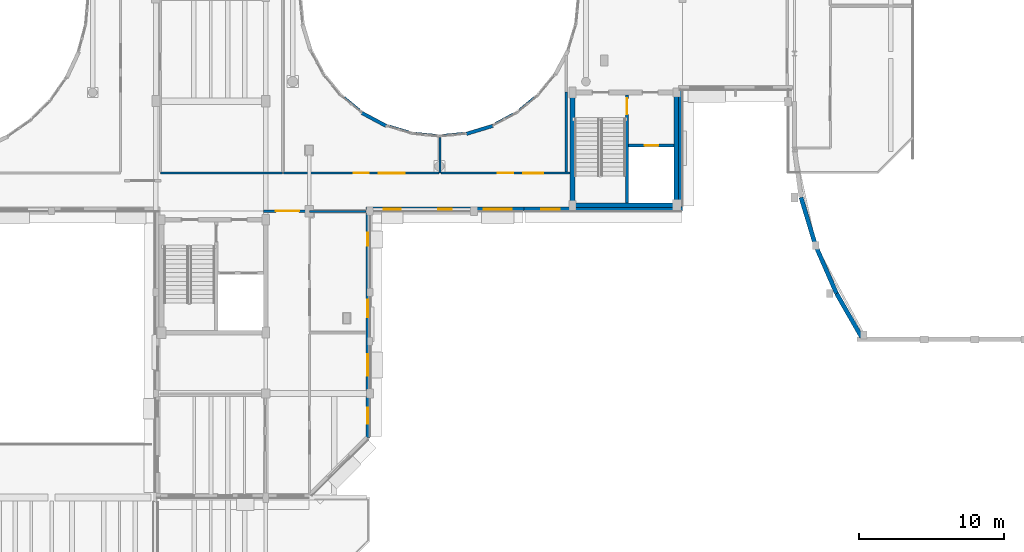
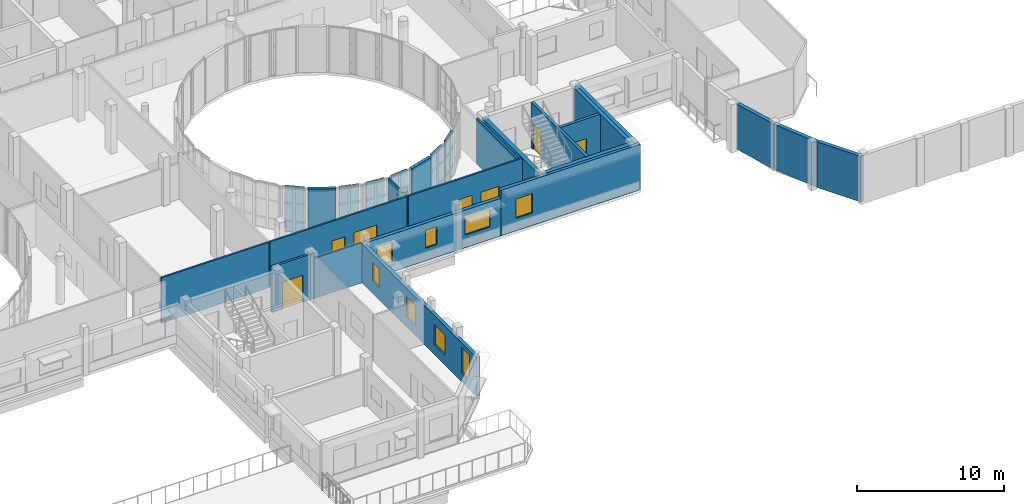
# One storey, part 69 of 92: 27 walls, 10 windows, 5 doors, 15 openings.
"""IFC4 building model written with IfcOpenShell, lengths in metres."""

from ifc_helpers import new_model, si_unit, direction, frame, frame_2d, origin, place, context, subcontext, project, spatial, rectangle, extrude, material, layer, layer_set, type_object, element, fill, save


model = new_model("IFC4")

# Units and contexts
model_context = context("Model", 3, precision=1e-05, world=origin(), true_north=direction((0.0, 1.0)))
body_context = subcontext(model_context, "Body", "Model", "MODEL_VIEW")
ifc_project = project(units=[si_unit("LENGTHUNIT", "METRE"), si_unit("AREAUNIT", "SQUARE_METRE"), si_unit("VOLUMEUNIT", "CUBIC_METRE"), si_unit("PLANEANGLEUNIT", "RADIAN"), si_unit("MASSUNIT", "GRAM", prefix="KILO")], contexts=[model_context])

# Site, building, storey
site_placement = place(None, origin())
site = spatial("IfcSite", under=ifc_project, at=site_placement, CompositionType="ELEMENT")
building_placement = place(site_placement, origin())
building = spatial("IfcBuilding", under=site, at=building_placement, Name="Kelanivale Promenade Academy", CompositionType="ELEMENT")
storey_placement = place(building_placement, frame((0.0, 0.0, 8.199951171875)))
storey = spatial("IfcBuildingStorey", under=building, at=storey_placement, Name="L02", CompositionType="ELEMENT", Elevation=8.199951171875)

# Walls
ifc_material_1 = material(Name="Concrete C40/50", Category="concrete")
ifc_layer_1 = layer(ifc_material_1, 0.330078125)
ifc_layer_set_1 = layer_set([ifc_layer_1], Name="Concrete C40/50")
wall_type_1 = type_object("IfcWallType", Name="CW-S1 Wall 330mm", PredefinedType="SHEAR", material=ifc_layer_set_1)
wall_1_placement = place(storey_placement, frame((107.8349609375, 42.39990234375, 0.0), z_axis=(0.0, 0.0, 1.0), x_axis=(1.0, 0.0, 0.0)))
element("IfcWall", 1, at=wall_1_placement, inside=storey, type_object=wall_type_1, Name="CORE-3 RC shear wall S L02", PredefinedType="SHEAR", context=body_context, shape_type="SweptSolid", body=[
    extrude(rectangle(XDim=7.530029296875, YDim=0.330078125, at=frame_2d((3.76513671875, 0.0))), origin(), (0.0, 0.0, 1.0), 3.780029296875),
])
for number, where, z_axis, x_axis, name in (
    (2, (108.0, 42.56494140625, 0.0), (0.0, 0.0, 1.0), (0.0, 1.0, 0.0), "CORE-3 RC shear wall W L02"),
    (3, (115.199951171875, 42.56494140625, 0.0), (0.0, 0.0, 1.0), (0.0, 1.0, 0.0), "CORE-3 RC shear wall E L02"),
):
    element("IfcWall", number, at=place(storey_placement, frame(where, z_axis=z_axis, x_axis=x_axis)), inside=storey, type_object=wall_type_1, Name=name, PredefinedType="SHEAR", context=body_context, shape_type="SweptSolid", body=[
        extrude(rectangle(XDim=7.469970703125, YDim=0.330078125, at=frame_2d((3.73486328125, 0.0))), origin(), (0.0, 0.0, 1.0), 3.780029296875),
    ])

# Wall, opening, door
ifc_layer_2 = layer(ifc_material_1, 0.22509765625)
ifc_layer_set_2 = layer_set([ifc_layer_2], Name="Concrete C40/50")
wall_type_2 = type_object("IfcWallType", Name="CW-S2 Wall 225mm", PredefinedType="SHEAR", material=ifc_layer_set_2)
wall_2_placement = place(storey_placement, frame((111.885009765625, 46.530029296875, 0.0), z_axis=(0.0, 0.0, 1.0), x_axis=(1.0, 0.0, 0.0)))
wall_2 = element("IfcWall", 4, at=wall_2_placement, inside=storey, type_object=wall_type_2, Name="CORE-3 lift shaft front RC wall L02", PredefinedType="SHEAR", context=body_context, shape_type="SweptSolid", body=[
    extrude(rectangle(XDim=3.14990234375, YDim=0.22509765625, at=frame_2d((1.574951171875, 0.0))), origin(), (0.0, 0.0, 1.0), 3.780029296875),
])
opening_1_placement = place(wall_2_placement, frame((1.10009765625, 0.0, 0.0)))
opening_1 = element("IfcOpeningElement", 5, at=opening_1_placement, cuts=wall_2, Name="Opening LD-LF-FF3-L02", PredefinedType="OPENING", context=body_context, shape_type="SweptSolid", body=[
    extrude(rectangle(XDim=0.949951171875, YDim=2.14990234375, at=frame_2d((0.47509765625, 1.074951171875))), frame((0.0, 0.12255859375, 0.0), z_axis=(0.0, -1.0, 0.0), x_axis=(1.0, 0.0, 0.0)), (0.0, 0.0, 1.0), 0.2451171875),
])
ifc_material_2 = material(Name="Fire-rated steel-core teak veneer", Category="steel")
door_type_1 = type_object("IfcDoorType", Name="LD-FF1 Door 950x2150", OperationType="NOTDEFINED", PredefinedType="DOOR", material=ifc_material_2)
door_1_placement = place(opening_1_placement, origin())
door_1 = element("IfcDoor", 6, at=door_1_placement, inside=storey, type_object=door_type_1, Name="Firefighting lift landing door LD-LF-FF3-L02", OperationType="SLIDING_TO_LEFT", OverallHeight=2.14990234375, OverallWidth=0.949951171875, PredefinedType="DOOR", context=body_context, shape_type="SweptSolid", body=[
    extrude(rectangle(XDim=0.949951171875, YDim=2.14990234375, at=frame_2d((0.47509765625, 1.074951171875))), frame((0.0, 0.02490234375, 0.0), z_axis=(0.0, -1.0, 0.0), x_axis=(1.0, 0.0, 0.0)), (0.0, 0.0, 1.0), 0.050048828125),
])
fill(opening_1, door_1)

ifc_layer_3 = layer(ifc_material_1, 0.219970703125)
ifc_layer_set_3 = layer_set([ifc_layer_3], Name="Concrete C40/50")
wall_type_3 = type_object("IfcWallType", Name="CW-S3 Wall 220mm", PredefinedType="SHEAR", material=ifc_layer_set_3)
wall_3_placement = place(storey_placement, frame((111.77490234375, 42.56494140625, 0.0), z_axis=(0.0, 0.0, 1.0), x_axis=(0.0, 1.0, 0.0)))
wall_3 = element("IfcWall", 7, at=wall_3_placement, inside=storey, type_object=wall_type_3, Name="CORE-3 stair-lobby dividing RC wall L02", PredefinedType="SHEAR", context=body_context, shape_type="SweptSolid", body=[
    extrude(rectangle(XDim=7.469970703125, YDim=0.219970703125, at=frame_2d((3.73486328125, 0.0))), origin(), (0.0, 0.0, 1.0), 3.780029296875),
])
opening_2_placement = place(wall_3_placement, frame((6.1201171875, 0.0, 0.0)))
opening_2 = element("IfcOpeningElement", 8, at=opening_2_placement, cuts=wall_3, Name="Opening FD-CORE-3-SL-L02", PredefinedType="OPENING", context=body_context, shape_type="SweptSolid", body=[
    extrude(rectangle(XDim=1.10009765625, YDim=2.14990234375, at=frame_2d((0.550048828125, 1.074951171875))), frame((0.0, 0.1201171875, 0.0), z_axis=(0.0, -1.0, 0.0), x_axis=(1.0, 0.0, 0.0)), (0.0, 0.0, 1.0), 0.239990234375),
])
door_type_2 = type_object("IfcDoorType", Name="DT-F01 Door 1100x2150", OperationType="NOTDEFINED", PredefinedType="DOOR", material=ifc_material_2)
door_2_placement = place(opening_2_placement, origin())
door_2 = element("IfcDoor", 9, at=door_2_placement, inside=storey, type_object=door_type_2, Name="CORE-3 lobby-to-stair fire door L02", OperationType="SINGLE_SWING_LEFT", OverallHeight=2.14990234375, OverallWidth=1.10009765625, PredefinedType="DOOR", context=body_context, shape_type="SweptSolid", body=[
    extrude(rectangle(XDim=1.10009765625, YDim=2.14990234375, at=frame_2d((0.550048828125, 1.074951171875))), frame((0.0, 0.02490234375, 0.0), z_axis=(0.0, -1.0, 0.0), x_axis=(1.0, 0.0, 0.0)), (0.0, 0.0, 1.0), 0.050048828125),
])
fill(opening_2, door_2)

# Walls
ifc_material_3 = material(Name="Insulated terracotta-clad masonry wall 300 mm", Category="masonry")
ifc_layer_4 = layer(ifc_material_3, 0.300048828125)
ifc_layer_set_4 = layer_set([ifc_layer_4], Name="Insulated terracotta-clad masonry wall 300 mm")
wall_type_4 = type_object("IfcWallType", Name="EW-01 Wall 300mm", PredefinedType="SOLIDWALL", material=ifc_layer_set_4)
wall_4_placement = place(storey_placement, frame((126.25, 36.31396484375, 0.0), z_axis=(0.0, 0.0, 1.0), x_axis=(0.497392560198, -0.867525585248, 0.0)))
element("IfcWall", 10, at=wall_4_placement, inside=storey, type_object=wall_type_4, Name="Assembly Hall Arc Pavilion inner crescent wall L02", PredefinedType="SOLIDWALL", context=body_context, shape_type="SweptSolid", body=[
    extrude(rectangle(XDim=3.47998046875, YDim=0.300048828125, at=frame_2d((1.739990234375, 0.0))), origin(), (0.0, 0.0, 1.0), 3.780029296875),
])
wall_5_placement = place(storey_placement, frame((124.800048828125, 39.62890625, 0.0), z_axis=(0.0, 0.0, 1.0), x_axis=(0.400740958437, -0.916191401526, 0.0)))
element("IfcWall", 11, at=wall_5_placement, inside=storey, type_object=wall_type_4, Name="Assembly Hall Arc Pavilion inner crescent wall L02", PredefinedType="SOLIDWALL", context=body_context, shape_type="SweptSolid", body=[
    extrude(rectangle(XDim=3.6181640625, YDim=0.300048828125, at=frame_2d((1.80908203125, 0.0))), origin(), (0.0, 0.0, 1.0), 3.7451171875),
])
wall_6_placement = place(storey_placement, frame((123.800048828125, 42.943115234375, 0.0), z_axis=(0.0, 0.0, 1.0), x_axis=(0.288868004026, -0.957368934241, 0.0)))
element("IfcWall", 12, at=wall_6_placement, inside=storey, type_object=wall_type_4, Name="Assembly Hall Arc Pavilion inner crescent wall L02", PredefinedType="SOLIDWALL", context=body_context, shape_type="SweptSolid", body=[
    extrude(rectangle(XDim=3.461669921875, YDim=0.300048828125, at=frame_2d((1.73095703125, 0.0))), origin(), (0.0, 0.0, 1.0), 3.7451171875),
])

# Wall, openings, windows
ifc_material_4 = material(Name="Insulated ivory stucco masonry wall 280 mm", Category="masonry")
ifc_layer_5 = layer(ifc_material_4, 0.280029296875)
ifc_layer_set_5 = layer_set([ifc_layer_5], Name="Insulated ivory stucco masonry wall 280 mm")
wall_type_5 = type_object("IfcWallType", Name="EW-02 Wall 280mm", PredefinedType="SOLIDWALL", material=ifc_layer_set_5)
wall_7_placement = place(storey_placement, frame((93.719970703125, 42.139892578125, 0.0), z_axis=(0.0, 0.0, 1.0), x_axis=(1.0, 0.0, 0.0)))
wall_7 = element("IfcWall", 13, at=wall_7_placement, inside=storey, type_object=wall_type_5, Name="L02 exterior facade wall EW-L02-ORT-0415", PredefinedType="SOLIDWALL", context=body_context, shape_type="SweptSolid", body=[
    extrude(rectangle(XDim=10.93994140625, YDim=0.280029296875, at=frame_2d((5.469970703125, 0.0))), origin(), (0.0, 0.0, 1.0), 3.125),
])
opening_3_placement = place(wall_7_placement, frame((1.222900390625, 0.0, 0.85009765625)))
opening_3 = element("IfcOpeningElement", 14, at=opening_3_placement, cuts=wall_7, Name="Opening WT-05", PredefinedType="OPENING", context=body_context, shape_type="SweptSolid", body=[
    extrude(rectangle(XDim=1.199951171875, YDim=1.64990234375, at=frame_2d((0.60009765625, 0.824951171875))), frame((0.0, 0.14990234375, 0.0), z_axis=(0.0, -1.0, 0.0), x_axis=(1.0, 0.0, 0.0)), (0.0, 0.0, 1.0), 0.300048828125),
])
opening_4_placement = place(wall_7_placement, frame((5.02001953125, 0.0, 1.050048828125)))
opening_4 = element("IfcOpeningElement", 15, at=opening_4_placement, cuts=wall_7, Name="Opening WT-06", PredefinedType="OPENING", context=body_context, shape_type="SweptSolid", body=[
    extrude(rectangle(XDim=0.89990234375, YDim=1.5, at=frame_2d((0.449951171875, 0.75))), frame((0.0, 0.14990234375, 0.0), z_axis=(0.0, -1.0, 0.0), x_axis=(1.0, 0.0, 0.0)), (0.0, 0.0, 1.0), 0.300048828125),
])
opening_5_placement = place(wall_7_placement, frame((8.14208984375, 0.0, 1.050048828125)))
opening_5 = element("IfcOpeningElement", 16, at=opening_5_placement, cuts=wall_7, Name="Opening WT-22", PredefinedType="OPENING", context=body_context, shape_type="SweptSolid", body=[
    extrude(rectangle(XDim=1.949951171875, YDim=1.5, at=frame_2d((0.97509765625, 0.75))), frame((0.0, 0.14990234375, 0.0), z_axis=(0.0, -1.0, 0.0), x_axis=(1.0, 0.0, 0.0)), (0.0, 0.0, 1.0), 0.300048828125),
])
ifc_material_5 = material(Name="Bronze anodised aluminium frame with low-E laminated glass", Category="aluminium")
window_type_1 = type_object("IfcWindowType", Name="WT-05 Window 1200x1650", PartitioningType="SINGLE_PANEL", PredefinedType="WINDOW", material=ifc_material_5)
window_1_placement = place(opening_3_placement, origin())
window_1 = element("IfcWindow", 17, at=window_1_placement, inside=storey, type_object=window_type_1, Name="Window WT-05", OverallHeight=1.64990234375, OverallWidth=1.199951171875, PartitioningType="SINGLE_PANEL", PredefinedType="WINDOW", context=body_context, shape_type="SweptSolid", body=[
    extrude(rectangle(XDim=1.199951171875, YDim=1.64990234375, at=frame_2d((0.60009765625, 0.824951171875))), frame((0.0, 0.030029296875, 0.0), z_axis=(0.0, -1.0, 0.0), x_axis=(1.0, 0.0, 0.0)), (0.0, 0.0, 1.0), 0.06005859375),
])
fill(opening_3, window_1)
window_type_2 = type_object("IfcWindowType", Name="WT-06 Window 900x1500", PartitioningType="SINGLE_PANEL", PredefinedType="WINDOW", material=ifc_material_5)
window_2_placement = place(opening_4_placement, origin())
window_2 = element("IfcWindow", 18, at=window_2_placement, inside=storey, type_object=window_type_2, Name="Window WT-06", OverallHeight=1.5, OverallWidth=0.89990234375, PartitioningType="SINGLE_PANEL", PredefinedType="WINDOW", context=body_context, shape_type="SweptSolid", body=[
    extrude(rectangle(XDim=0.89990234375, YDim=1.5, at=frame_2d((0.449951171875, 0.75))), frame((0.0, 0.030029296875, 0.0), z_axis=(0.0, -1.0, 0.0), x_axis=(1.0, 0.0, 0.0)), (0.0, 0.0, 1.0), 0.06005859375),
])
fill(opening_4, window_2)
window_type_3 = type_object("IfcWindowType", Name="WT-22 Window 1950x1500", PartitioningType="SINGLE_PANEL", PredefinedType="WINDOW", material=ifc_material_5)
window_3_placement = place(opening_5_placement, origin())
window_3 = element("IfcWindow", 19, at=window_3_placement, inside=storey, type_object=window_type_3, Name="Window WT-22", OverallHeight=1.5, OverallWidth=1.949951171875, PartitioningType="SINGLE_PANEL", PredefinedType="WINDOW", context=body_context, shape_type="SweptSolid", body=[
    extrude(rectangle(XDim=1.949951171875, YDim=1.5, at=frame_2d((0.97509765625, 0.75))), frame((0.0, 0.030029296875, 0.0), z_axis=(0.0, -1.0, 0.0), x_axis=(1.0, 0.0, 0.0)), (0.0, 0.0, 1.0), 0.06005859375),
])
fill(opening_5, window_3)

# Wall, opening, window
wall_8_placement = place(storey_placement, frame((104.659912109375, 42.139892578125, 0.0), z_axis=(0.0, 0.0, 1.0), x_axis=(1.0, 0.0, 0.0)))
wall_8 = element("IfcWall", 20, at=wall_8_placement, inside=storey, type_object=wall_type_5, Name="L02 exterior facade wall EW-L02-ORT-0416", PredefinedType="SOLIDWALL", context=body_context, shape_type="SweptSolid", body=[
    extrude(rectangle(XDim=10.940185546875, YDim=0.280029296875, at=frame_2d((5.47021484375, 0.0))), origin(), (0.0, 0.0, 1.0), 3.780029296875),
])
opening_6_placement = place(wall_8_placement, frame((1.173095703125, 0.0, 1.050048828125)))
opening_6 = element("IfcOpeningElement", 21, at=opening_6_placement, cuts=wall_8, Name="Opening WT-23", PredefinedType="OPENING", context=body_context, shape_type="SweptSolid", body=[
    extrude(rectangle(XDim=1.300048828125, YDim=1.60009765625, at=frame_2d((0.64990234375, 0.800048828125))), frame((0.0, 0.14990234375, 0.0), z_axis=(0.0, -1.0, 0.0), x_axis=(1.0, 0.0, 0.0)), (0.0, 0.0, 1.0), 0.300048828125),
])
window_type_4 = type_object("IfcWindowType", Name="WT-23 Window 1300x1600", PartitioningType="SINGLE_PANEL", PredefinedType="WINDOW", material=ifc_material_5)
window_4_placement = place(opening_6_placement, origin())
window_4 = element("IfcWindow", 22, at=window_4_placement, inside=storey, type_object=window_type_4, Name="Window WT-23", OverallHeight=1.60009765625, OverallWidth=1.300048828125, PartitioningType="SINGLE_PANEL", PredefinedType="WINDOW", context=body_context, shape_type="SweptSolid", body=[
    extrude(rectangle(XDim=1.300048828125, YDim=1.60009765625, at=frame_2d((0.64990234375, 0.800048828125))), frame((0.0, 0.030029296875, 0.0), z_axis=(0.0, -1.0, 0.0), x_axis=(1.0, 0.0, 0.0)), (0.0, 0.0, 1.0), 0.06005859375),
])
fill(opening_6, window_4)

# Wall
wall_9_placement = place(storey_placement, frame((115.4599609375, 42.280029296875, 0.0), z_axis=(0.0, 0.0, 1.0), x_axis=(0.0, 1.0, 0.0)))
element("IfcWall", 23, at=wall_9_placement, inside=storey, type_object=wall_type_5, Name="L02 exterior facade wall EW-L02-ORT-0417", PredefinedType="SOLIDWALL", context=body_context, shape_type="SweptSolid", body=[
    extrude(rectangle(XDim=8.119873046875, YDim=0.280029296875, at=frame_2d((4.06005859375, 0.0))), origin(), (0.0, 0.0, 1.0), 3.780029296875),
])

# Wall, openings, windows
wall_10_placement = place(storey_placement, frame((93.860107421875, 26.345947265625, 0.0), z_axis=(0.0, 0.0, 1.0), x_axis=(0.0, 1.0, 0.0)))
wall_10 = element("IfcWall", 24, at=wall_10_placement, inside=storey, type_object=wall_type_5, Name="L02 exterior facade wall EW-L02-ORT-0449", PredefinedType="SOLIDWALL", context=body_context, shape_type="SweptSolid", body=[
    extrude(rectangle(XDim=15.654052734375, YDim=0.280029296875, at=frame_2d((7.8271484375, 0.0))), origin(), (0.0, 0.0, 1.0), 3.22509765625),
])
opening_7_placement = place(wall_10_placement, frame((0.95703125, 0.0, 0.75)))
opening_7 = element("IfcOpeningElement", 25, at=opening_7_placement, cuts=wall_10, Name="Opening WT-17", PredefinedType="OPENING", context=body_context, shape_type="SweptSolid", body=[
    extrude(rectangle(XDim=1.10009765625, YDim=2.10009765625, at=frame_2d((0.550048828125, 1.050048828125))), frame((0.0, 0.14990234375, 0.0), z_axis=(0.0, -1.0, 0.0), x_axis=(1.0, 0.0, 0.0)), (0.0, 0.0, 1.0), 0.300048828125),
])
opening_8_placement = place(wall_10_placement, frame((4.27001953125, 0.0, 0.85009765625)))
opening_8 = element("IfcOpeningElement", 26, at=opening_8_placement, cuts=wall_10, Name="Opening WT-04", PredefinedType="OPENING", context=body_context, shape_type="SweptSolid", body=[
    extrude(rectangle(XDim=1.5, YDim=1.64990234375, at=frame_2d((0.75, 0.824951171875))), frame((0.0, 0.14990234375, 0.0), z_axis=(0.0, -1.0, 0.0), x_axis=(1.0, 0.0, 0.0)), (0.0, 0.0, 1.0), 0.300048828125),
])
opening_9_placement = place(wall_10_placement, frame((8.333984375, 0.0, 0.85009765625)))
opening_9 = element("IfcOpeningElement", 27, at=opening_9_placement, cuts=wall_10, Name="Opening WT-05", PredefinedType="OPENING", context=body_context, shape_type="SweptSolid", body=[
    extrude(rectangle(XDim=1.199951171875, YDim=1.64990234375, at=frame_2d((0.60009765625, 0.824951171875))), frame((0.0, 0.14990234375, 0.0), z_axis=(0.0, -1.0, 0.0), x_axis=(1.0, 0.0, 0.0)), (0.0, 0.0, 1.0), 0.300048828125),
])
opening_10_placement = place(wall_10_placement, frame((13.2470703125, 0.0, 1.050048828125)))
opening_10 = element("IfcOpeningElement", 28, at=opening_10_placement, cuts=wall_10, Name="Opening WT-06", PredefinedType="OPENING", context=body_context, shape_type="SweptSolid", body=[
    extrude(rectangle(XDim=0.89990234375, YDim=1.5, at=frame_2d((0.449951171875, 0.75))), frame((0.0, 0.14990234375, 0.0), z_axis=(0.0, -1.0, 0.0), x_axis=(1.0, 0.0, 0.0)), (0.0, 0.0, 1.0), 0.300048828125),
])
window_type_5 = type_object("IfcWindowType", Name="WT-04 Window 1500x1650", PartitioningType="SINGLE_PANEL", PredefinedType="WINDOW", material=ifc_material_5)
window_5_placement = place(opening_8_placement, origin())
window_5 = element("IfcWindow", 29, at=window_5_placement, inside=storey, type_object=window_type_5, Name="Window WT-04", OverallHeight=1.64990234375, OverallWidth=1.5, PartitioningType="SINGLE_PANEL", PredefinedType="WINDOW", context=body_context, shape_type="SweptSolid", body=[
    extrude(rectangle(XDim=1.5, YDim=1.64990234375, at=frame_2d((0.75, 0.824951171875))), frame((0.0, 0.030029296875, 0.0), z_axis=(0.0, -1.0, 0.0), x_axis=(1.0, 0.0, 0.0)), (0.0, 0.0, 1.0), 0.06005859375),
])
fill(opening_8, window_5)
window_6_placement = place(opening_9_placement, origin())
window_6 = element("IfcWindow", 30, at=window_6_placement, inside=storey, type_object=window_type_1, Name="Window WT-05", OverallHeight=1.64990234375, OverallWidth=1.199951171875, PartitioningType="SINGLE_PANEL", PredefinedType="WINDOW", context=body_context, shape_type="SweptSolid", body=[
    extrude(rectangle(XDim=1.199951171875, YDim=1.64990234375, at=frame_2d((0.60009765625, 0.824951171875))), frame((0.0, 0.030029296875, 0.0), z_axis=(0.0, -1.0, 0.0), x_axis=(1.0, 0.0, 0.0)), (0.0, 0.0, 1.0), 0.06005859375),
])
fill(opening_9, window_6)
window_7_placement = place(opening_10_placement, origin())
window_7 = element("IfcWindow", 31, at=window_7_placement, inside=storey, type_object=window_type_2, Name="Window WT-06", OverallHeight=1.5, OverallWidth=0.89990234375, PartitioningType="SINGLE_PANEL", PredefinedType="WINDOW", context=body_context, shape_type="SweptSolid", body=[
    extrude(rectangle(XDim=0.89990234375, YDim=1.5, at=frame_2d((0.449951171875, 0.75))), frame((0.0, 0.030029296875, 0.0), z_axis=(0.0, -1.0, 0.0), x_axis=(1.0, 0.0, 0.0)), (0.0, 0.0, 1.0), 0.06005859375),
])
fill(opening_10, window_7)
window_type_6 = type_object("IfcWindowType", Name="WT-17 Window 1100x2100", PartitioningType="SINGLE_PANEL", PredefinedType="WINDOW", material=ifc_material_5)
window_8_placement = place(opening_7_placement, origin())
window_8 = element("IfcWindow", 32, at=window_8_placement, inside=storey, type_object=window_type_6, Name="Window WT-17", OverallHeight=2.10009765625, OverallWidth=1.10009765625, PartitioningType="SINGLE_PANEL", PredefinedType="WINDOW", context=body_context, shape_type="SweptSolid", body=[
    extrude(rectangle(XDim=1.10009765625, YDim=2.10009765625, at=frame_2d((0.550048828125, 1.050048828125))), frame((0.0, 0.030029296875, 0.0), z_axis=(0.0, -1.0, 0.0), x_axis=(1.0, 0.0, 0.0)), (0.0, 0.0, 1.0), 0.06005859375),
])
fill(opening_7, window_8)

# Walls
ifc_material_6 = material(Name="Insulated courtyard stucco masonry wall 240 mm", Category="masonry")
ifc_layer_6 = layer(ifc_material_6, 0.239990234375)
ifc_layer_set_6 = layer_set([ifc_layer_6], Name="Insulated courtyard stucco masonry wall 240 mm")
wall_type_6 = type_object("IfcWallType", Name="EW-04 Wall 240mm", PredefinedType="SOLIDWALL", material=ifc_layer_set_6)
wall_11_placement = place(storey_placement, frame((93.43408203125, 48.7900390625, 0.0), z_axis=(0.0, 0.0, 1.0), x_axis=(0.881840180227, -0.471548403175, 0.0)))
element("IfcWall", 33, at=wall_11_placement, inside=storey, type_object=wall_type_6, Name="L02 round courtyard stucco wall", PredefinedType="SOLIDWALL", context=body_context, shape_type="SweptSolid", body=[
    extrude(rectangle(XDim=1.9130859375, YDim=0.239990234375, at=frame_2d((0.95654296875, 0.0))), origin(), (0.0, 0.0, 1.0), 3.780029296875),
])
wall_12_placement = place(storey_placement, frame((100.669921875, 47.342041015625, 0.0), z_axis=(0.0, 0.0, 1.0), x_axis=(0.957113490504, 0.289713248393, 0.0)))
element("IfcWall", 34, at=wall_12_placement, inside=storey, type_object=wall_type_6, Name="L02 round courtyard stucco wall", PredefinedType="SOLIDWALL", context=body_context, shape_type="SweptSolid", body=[
    extrude(rectangle(XDim=1.912109375, YDim=0.239990234375, at=frame_2d((0.9560546875, 0.0))), origin(), (0.0, 0.0, 1.0), 3.780029296875),
])

# Wall, opening, door
ifc_material_7 = material(Name="Autoclaved masonry blockwork 180 mm", Category="masonry")
ifc_layer_7 = layer(ifc_material_7, 0.179931640625)
ifc_layer_set_7 = layer_set([ifc_layer_7], Name="Autoclaved masonry blockwork 180 mm")
wall_type_7 = type_object("IfcWallType", Name="IW-02 Wall 180mm", PredefinedType="PARTITIONING", material=ifc_layer_set_7)
wall_13_placement = place(storey_placement, frame((86.64990234375, 42.0, 0.0), z_axis=(0.0, 0.0, 1.0), x_axis=(1.0, 0.0, 0.0)))
wall_13 = element("IfcWall", 35, at=wall_13_placement, inside=storey, type_object=wall_type_7, Name="L02 cross-corridor fire wall", PredefinedType="PARTITIONING", context=body_context, shape_type="SweptSolid", body=[
    extrude(rectangle(XDim=3.300048828125, YDim=0.179931640625, at=frame_2d((1.64990234375, 0.0))), origin(), (0.0, 0.0, 1.0), 3.780029296875),
])
opening_11_placement = place(wall_13_placement, frame((0.85009765625, 0.0, 0.0)))
opening_11 = element("IfcOpeningElement", 36, at=opening_11_placement, cuts=wall_13, Name="Opening FD-L02-CC-105", PredefinedType="OPENING", context=body_context, shape_type="SweptSolid", body=[
    extrude(rectangle(XDim=1.60009765625, YDim=2.25, at=frame_2d((0.800048828125, 1.125))), frame((0.0, 0.10009765625, 0.0), z_axis=(0.0, -1.0, 0.0), x_axis=(1.0, 0.0, 0.0)), (0.0, 0.0, 1.0), 0.199951171875),
])
door_type_3 = type_object("IfcDoorType", Name="DT-F09 Door 1600x2250", OperationType="NOTDEFINED", PredefinedType="DOOR", material=ifc_material_2)
door_3_placement = place(opening_11_placement, origin())
door_3 = element("IfcDoor", 37, at=door_3_placement, inside=storey, type_object=door_type_3, Name="L02 cross-corridor fire door FD-L02-CC-105", OperationType="DOUBLE_DOOR_SINGLE_SWING", OverallHeight=2.25, OverallWidth=1.60009765625, PredefinedType="DOOR", context=body_context, shape_type="SweptSolid", body=[
    extrude(rectangle(XDim=1.60009765625, YDim=2.25, at=frame_2d((0.800048828125, 1.125))), frame((0.0, 0.02490234375, 0.0), z_axis=(0.0, -1.0, 0.0), x_axis=(1.0, 0.0, 0.0)), (0.0, 0.0, 1.0), 0.050048828125),
])
fill(opening_11, door_3)

# Walls
ifc_material_8 = material(Name="Acoustic double-stud gypsum board partition 140 mm", Category="masonry")
ifc_layer_8 = layer(ifc_material_8, 0.139892578125)
ifc_layer_set_8 = layer_set([ifc_layer_8], Name="Acoustic double-stud gypsum board partition 140 mm")
wall_type_8 = type_object("IfcWallType", Name="IW-04 Wall 140mm", PredefinedType="PARTITIONING", material=ifc_layer_set_8)
wall_14_placement = place(storey_placement, frame((79.530029296875, 44.6298828125, 0.0), z_axis=(0.0, 0.0, 1.0), x_axis=(1.0, 0.0, 0.0)))
element("IfcWall", 38, at=wall_14_placement, inside=storey, type_object=wall_type_8, Name="L02 partition Design Workshop", PredefinedType="PARTITIONING", context=body_context, shape_type="SweptSolid", body=[
    extrude(rectangle(XDim=8.43994140625, YDim=0.139892578125, at=frame_2d((4.219970703125, 0.0))), origin(), (0.0, 0.0, 1.0), 3.775146484375),
])
wall_15_placement = place(storey_placement, frame((103.887939453125, 48.719970703125, 0.0), z_axis=(0.0, 0.0, 1.0), x_axis=(-0.882198489785, -0.470877717269, 0.0)))
element("IfcWall", 39, at=wall_15_placement, inside=storey, type_object=wall_type_8, Name="L02 partition Secondary Classroom East A", PredefinedType="PARTITIONING", context=body_context, shape_type="SweptSolid", body=[
    extrude(rectangle(XDim=1.35693359375, YDim=0.139892578125, at=frame_2d((0.678466796875, 0.0))), origin(), (0.0, 0.0, 1.0), 3.775146484375),
])
wall_16_placement = place(storey_placement, frame((100.407958984375, 47.388916015625, 0.0), z_axis=(0.0, 0.0, 1.0), x_axis=(-0.99513072014, -0.098563937798, 0.0)))
element("IfcWall", 40, at=wall_16_placement, inside=storey, type_object=wall_type_8, Name="L02 partition Secondary Classroom East A", PredefinedType="PARTITIONING", context=body_context, shape_type="SweptSolid", body=[
    extrude(rectangle(XDim=1.337646484375, YDim=0.139892578125, at=frame_2d((0.6689453125, 0.0))), origin(), (0.0, 0.0, 1.0), 3.775146484375),
])
wall_17_placement = place(storey_placement, frame((98.830078125, 47.083984375, 0.0), z_axis=(0.0, 0.0, 1.0), x_axis=(0.0, -1.0, 0.0)))
element("IfcWall", 41, at=wall_17_placement, inside=storey, type_object=wall_type_8, Name="L02 partition Secondary Classroom East A", PredefinedType="PARTITIONING", context=body_context, shape_type="SweptSolid", body=[
    extrude(rectangle(XDim=2.4541015625, YDim=0.139892578125, at=frame_2d((1.22705078125, 0.0))), origin(), (0.0, 0.0, 1.0), 3.775146484375),
])

# Wall, openings, door, window
wall_18_placement = place(storey_placement, frame((98.89794921875, 44.6298828125, 0.0), z_axis=(0.0, 0.0, 1.0), x_axis=(1.0, 0.0, 0.0)))
wall_18 = element("IfcWall", 42, at=wall_18_placement, inside=storey, type_object=wall_type_8, Name="L02 partition Secondary Classroom East A", PredefinedType="PARTITIONING", context=body_context, shape_type="SweptSolid", body=[
    extrude(rectangle(XDim=8.93896484375, YDim=0.139892578125, at=frame_2d((4.469482421875, 0.0))), origin(), (0.0, 0.0, 1.0), 3.775146484375),
])
opening_12_placement = place(wall_18_placement, frame((3.945068359375, 0.0, 0.0)))
opening_12 = element("IfcOpeningElement", 43, at=opening_12_placement, cuts=wall_18, Name="Opening ID-L02-124", PredefinedType="OPENING", context=body_context, shape_type="SweptSolid", body=[
    extrude(rectangle(XDim=1.050048828125, YDim=2.10009765625, at=frame_2d((0.52490234375, 1.050048828125))), frame((0.0, 0.080078125, 0.0), z_axis=(0.0, -1.0, 0.0), x_axis=(1.0, 0.0, 0.0)), (0.0, 0.0, 1.0), 0.159912109375),
])
opening_13_placement = place(wall_18_placement, frame((5.695068359375, 0.0, 1.050048828125)))
opening_13 = element("IfcOpeningElement", 44, at=opening_13_placement, cuts=wall_18, Name="Opening WT-I03", PredefinedType="OPENING", context=body_context, shape_type="SweptSolid", body=[
    extrude(rectangle(XDim=1.39990234375, YDim=1.050048828125, at=frame_2d((0.699951171875, 0.52490234375))), frame((0.0, 0.080078125, 0.0), z_axis=(0.0, -1.0, 0.0), x_axis=(1.0, 0.0, 0.0)), (0.0, 0.0, 1.0), 0.159912109375),
])
ifc_material_9 = material(Name="Solid-core tropical teak timber", Category="wood")
door_type_4 = type_object("IfcDoorType", Name="DT-I02 Door 1050x2100", OperationType="NOTDEFINED", PredefinedType="DOOR", material=ifc_material_9)
door_4_placement = place(opening_12_placement, origin())
door_4 = element("IfcDoor", 45, at=door_4_placement, inside=storey, type_object=door_type_4, Name="Secondary Classroom East A door ID-L02-124", OperationType="SINGLE_SWING_LEFT", OverallHeight=2.10009765625, OverallWidth=1.050048828125, PredefinedType="DOOR", context=body_context, shape_type="SweptSolid", body=[
    extrude(rectangle(XDim=1.050048828125, YDim=2.10009765625, at=frame_2d((0.52490234375, 1.050048828125))), frame((0.0, 0.02490234375, 0.0), z_axis=(0.0, -1.0, 0.0), x_axis=(1.0, 0.0, 0.0)), (0.0, 0.0, 1.0), 0.050048828125),
])
fill(opening_12, door_4)
window_type_7 = type_object("IfcWindowType", Name="WT-I03 Window 1400x1050", PartitioningType="SINGLE_PANEL", PredefinedType="WINDOW", material=ifc_material_5)
window_9_placement = place(opening_13_placement, origin())
window_9 = element("IfcWindow", 46, at=window_9_placement, inside=storey, type_object=window_type_7, Name="Interior observation window WT-I03", OverallHeight=1.050048828125, OverallWidth=1.39990234375, PartitioningType="SINGLE_PANEL", PredefinedType="WINDOW", context=body_context, shape_type="SweptSolid", body=[
    extrude(rectangle(XDim=1.39990234375, YDim=1.050048828125, at=frame_2d((0.699951171875, 0.52490234375))), frame((0.0, 0.030029296875, 0.0), z_axis=(0.0, -1.0, 0.0), x_axis=(1.0, 0.0, 0.0)), (0.0, 0.0, 1.0), 0.06005859375),
])
fill(opening_13, window_9)

# Walls
wall_19_placement = place(storey_placement, frame((107.570068359375, 44.697998046875, 0.0), z_axis=(0.0, 0.0, 1.0), x_axis=(0.0, 1.0, 0.0)))
element("IfcWall", 47, at=wall_19_placement, inside=storey, type_object=wall_type_8, Name="L02 partition Secondary Classroom East A", PredefinedType="PARTITIONING", context=body_context, shape_type="SweptSolid", body=[
    extrude(rectangle(XDim=5.531982421875, YDim=0.139892578125, at=frame_2d((2.76611328125, 0.0))), origin(), (0.0, 0.0, 1.0), 3.775146484375),
])
wall_20_placement = place(storey_placement, frame((105.366943359375, 49.867919921875, 0.0), z_axis=(0.0, 0.0, 1.0), x_axis=(-0.772978341916, -0.634432410055, 0.0)))
element("IfcWall", 48, at=wall_20_placement, inside=storey, type_object=wall_type_8, Name="L02 partition Secondary Classroom East A", PredefinedType="PARTITIONING", context=body_context, shape_type="SweptSolid", body=[
    extrude(rectangle(XDim=1.35693359375, YDim=0.139892578125, at=frame_2d((0.678466796875, 0.0))), origin(), (0.0, 0.0, 1.0), 3.775146484375),
])
wall_21_placement = place(storey_placement, frame((96.68505859375, 47.489013671875, 0.0), z_axis=(0.0, 0.0, 1.0), x_axis=(-0.956945716193, 0.290266939661, 0.0)))
element("IfcWall", 49, at=wall_21_placement, inside=storey, type_object=wall_type_8, Name="L02 partition Secondary Classroom Courtyard East-South", PredefinedType="PARTITIONING", context=body_context, shape_type="SweptSolid", body=[
    extrude(rectangle(XDim=1.357421875, YDim=0.139892578125, at=frame_2d((0.6787109375, 0.0))), origin(), (0.0, 0.0, 1.0), 3.775146484375),
])
wall_22_placement = place(storey_placement, frame((93.281982421875, 49.007080078125, 0.0), z_axis=(0.0, 0.0, 1.0), x_axis=(-0.773050749353, 0.634344180177, 0.0)))
element("IfcWall", 50, at=wall_22_placement, inside=storey, type_object=wall_type_8, Name="L02 partition Secondary Classroom Courtyard East-South", PredefinedType="PARTITIONING", context=body_context, shape_type="SweptSolid", body=[
    extrude(rectangle(XDim=1.35693359375, YDim=0.139892578125, at=frame_2d((0.678466796875, 0.0))), origin(), (0.0, 0.0, 1.0), 3.775146484375),
])

# Wall, openings, door, window
wall_23_placement = place(storey_placement, frame((88.030029296875, 44.6298828125, 0.0), z_axis=(0.0, 0.0, 1.0), x_axis=(1.0, 0.0, 0.0)))
wall_23 = element("IfcWall", 51, at=wall_23_placement, inside=storey, type_object=wall_type_8, Name="L02 partition Secondary Classroom Courtyard East-South", PredefinedType="PARTITIONING", context=body_context, shape_type="SweptSolid", body=[
    extrude(rectangle(XDim=10.73193359375, YDim=0.139892578125, at=frame_2d((5.365966796875, 0.0))), origin(), (0.0, 0.0, 1.0), 3.775146484375),
])
opening_14_placement = place(wall_23_placement, frame((4.85595703125, 0.0, 0.0)))
opening_14 = element("IfcOpeningElement", 52, at=opening_14_placement, cuts=wall_23, Name="Opening ID-L02-126", PredefinedType="OPENING", context=body_context, shape_type="SweptSolid", body=[
    extrude(rectangle(XDim=1.02001953125, YDim=2.139892578125, at=frame_2d((0.510009765625, 1.06982421875))), frame((0.0, 0.080078125, 0.0), z_axis=(0.0, -1.0, 0.0), x_axis=(1.0, 0.0, 0.0)), (0.0, 0.0, 1.0), 0.159912109375),
])
opening_15_placement = place(wall_23_placement, frame((6.575927734375, 0.0, 1.050048828125)))
opening_15 = element("IfcOpeningElement", 53, at=opening_15_placement, cuts=wall_23, Name="Opening WT-I02", PredefinedType="OPENING", context=body_context, shape_type="SweptSolid", body=[
    extrude(rectangle(XDim=1.800048828125, YDim=1.199951171875, at=frame_2d((0.89990234375, 0.60009765625))), frame((0.0, 0.080078125, 0.0), z_axis=(0.0, -1.0, 0.0), x_axis=(1.0, 0.0, 0.0)), (0.0, 0.0, 1.0), 0.159912109375),
])
door_type_5 = type_object("IfcDoorType", Name="DT-I15 Door 1020x2140", OperationType="NOTDEFINED", PredefinedType="DOOR", material=ifc_material_9)
door_5_placement = place(opening_14_placement, origin())
door_5 = element("IfcDoor", 54, at=door_5_placement, inside=storey, type_object=door_type_5, Name="Secondary Classroom Courtyard East-South door ID-L02-126", OperationType="SINGLE_SWING_LEFT", OverallHeight=2.139892578125, OverallWidth=1.02001953125, PredefinedType="DOOR", context=body_context, shape_type="SweptSolid", body=[
    extrude(rectangle(XDim=1.02001953125, YDim=2.139892578125, at=frame_2d((0.510009765625, 1.06982421875))), frame((0.0, 0.02490234375, 0.0), z_axis=(0.0, -1.0, 0.0), x_axis=(1.0, 0.0, 0.0)), (0.0, 0.0, 1.0), 0.050048828125),
])
fill(opening_14, door_5)
window_type_8 = type_object("IfcWindowType", Name="WT-I02 Window 1800x1200", PartitioningType="SINGLE_PANEL", PredefinedType="WINDOW", material=ifc_material_5)
window_10_placement = place(opening_15_placement, origin())
window_10 = element("IfcWindow", 55, at=window_10_placement, inside=storey, type_object=window_type_8, Name="Interior observation window WT-I02", OverallHeight=1.199951171875, OverallWidth=1.800048828125, PartitioningType="SINGLE_PANEL", PredefinedType="WINDOW", context=body_context, shape_type="SweptSolid", body=[
    extrude(rectangle(XDim=1.800048828125, YDim=1.199951171875, at=frame_2d((0.89990234375, 0.60009765625))), frame((0.0, 0.030029296875, 0.0), z_axis=(0.0, -1.0, 0.0), x_axis=(1.0, 0.0, 0.0)), (0.0, 0.0, 1.0), 0.06005859375),
])
fill(opening_15, window_10)

# Walls
wall_24_placement = place(storey_placement, frame((98.52294921875, 47.257080078125, 0.0), z_axis=(0.0, 0.0, 1.0), x_axis=(-0.99513072014, 0.098563937798, 0.0)))
element("IfcWall", 56, at=wall_24_placement, inside=storey, type_object=wall_type_8, Name="L02 partition Secondary Classroom Courtyard East-South", PredefinedType="PARTITIONING", context=body_context, shape_type="SweptSolid", body=[
    extrude(rectangle(XDim=1.337646484375, YDim=0.139892578125, at=frame_2d((0.6689453125, 0.0))), origin(), (0.0, 0.0, 1.0), 3.775146484375),
])
ifc_material_10 = material(Name="Lightweight gypsum stud partition 115 mm", Category="masonry")
ifc_layer_9 = layer(ifc_material_10, 0.114990234375)
ifc_layer_set_9 = layer_set([ifc_layer_9], Name="Lightweight gypsum stud partition 115 mm")
wall_type_9 = type_object("IfcWallType", Name="IW-06 Wall 115mm", PredefinedType="PARTITIONING", material=ifc_layer_set_9)
wall_25_placement = place(storey_placement, frame((93.721923828125, 41.969970703125, 0.0), z_axis=(0.0, 0.0, 1.0), x_axis=(-1.0, 0.0, 0.0)))
element("IfcWall", 57, at=wall_25_placement, inside=storey, type_object=wall_type_9, Name="L02 partition Counselling Office", PredefinedType="PARTITIONING", context=body_context, shape_type="SweptSolid", body=[
    extrude(rectangle(XDim=3.891845703125, YDim=0.114990234375, at=frame_2d((1.94580078125, 0.0))), origin(), (0.0, 0.0, 1.0), 3.324951171875),
])

save(model, "model.ifc")
